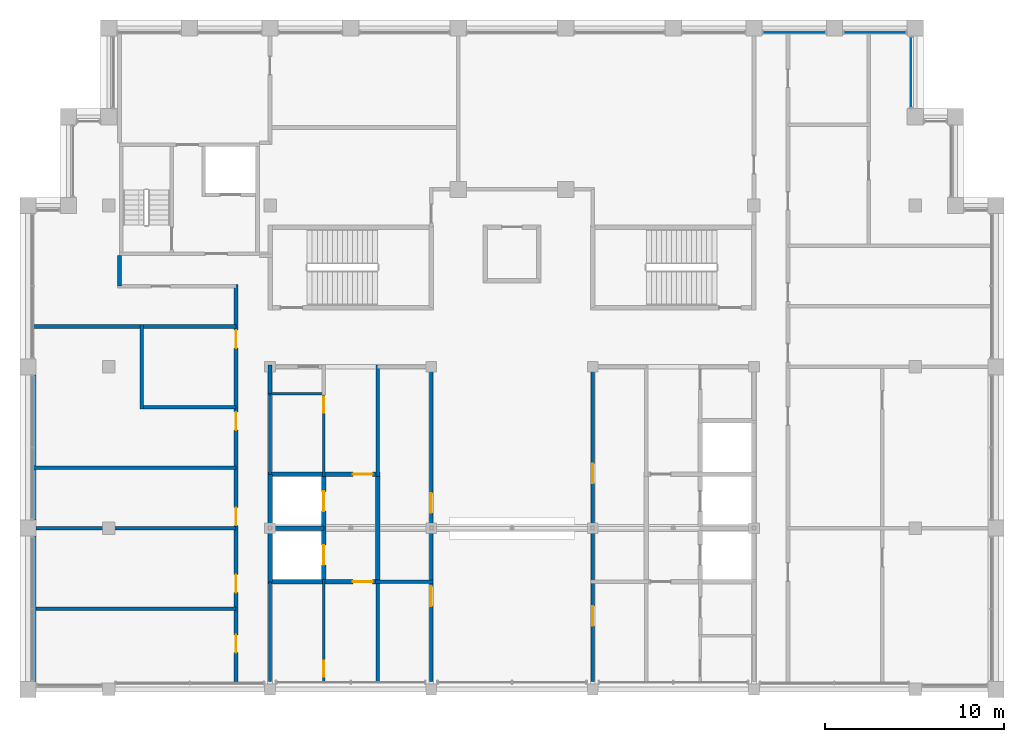
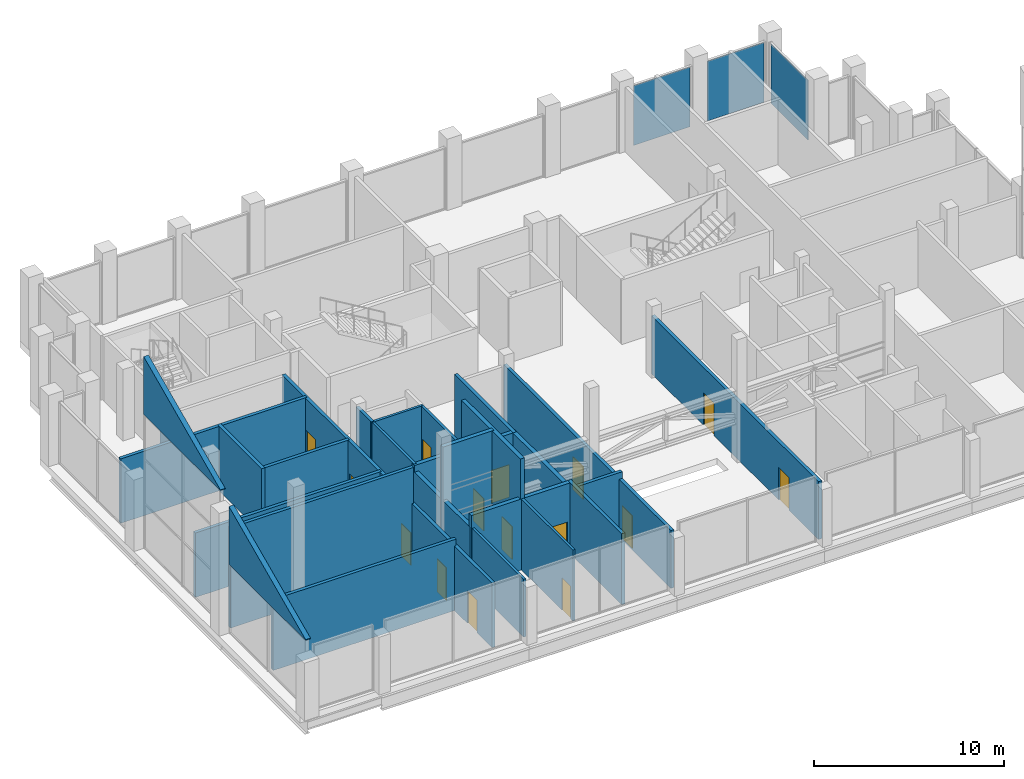
# One storey, part 10 of 14: 27 walls, 15 doors, 3 plates, 15 openings, 3 elements without a shape of their own.
"""IFC4 building model written with IfcOpenShell, lengths in metres."""

import ifcopenshell
import ifcopenshell.guid

model = None  # the IFC model being written
_history = None  # IfcOwnerHistory: only IFC2X3 demands one
_inside = {}  # id of a spatial element -> (the spatial element, [elements in it])
_under = {}  # id of a project, library or spatial element -> (it, [spatial elements below it])
_declared = {}  # id of a project -> (the project, [libraries it declares])
_typed = {}  # id of a type object -> (the type object, [elements of that type])
_made_of = {}  # id of a material, layer set ... -> (it, [elements and type objects made of it])


def new_model(schema):
    """Start an empty IFC model of exactly this schema.

    Asked for "IFC4X3", IfcOpenShell would pick the latest addendum, in which some entities
    have other attributes; the version numbers below select the first issue.
    IFC2X3 requires an IfcOwnerHistory on every rooted entity: one is made here for all.
    """
    global model, _history
    if schema == "IFC4X3":
        model = ifcopenshell.file(schema_version=(4, 3, 0, 0))
    else:
        model = ifcopenshell.file(schema=schema)
    _inside.clear()
    _under.clear()
    _declared.clear()
    _typed.clear()
    _made_of.clear()
    _history = None
    if model.schema == "IFC2X3":
        org = make("IfcOrganization", Name="unknown")
        user = make(
            "IfcPersonAndOrganization",
            ThePerson=make("IfcPerson", FamilyName="unknown"),
            TheOrganization=org,
        )
        app = make(
            "IfcApplication",
            ApplicationDeveloper=org,
            Version="unknown",
            ApplicationFullName="unknown",
            ApplicationIdentifier="unknown",
        )
        _history = make(
            "IfcOwnerHistory",
            OwningUser=user,
            OwningApplication=app,
            ChangeAction="ADDED",
            CreationDate=0,
        )
    return model


def make(cls, **values):
    """One entity of the class cls with the attributes given. An attribute that is None is left unset."""
    return model.create_entity(
        cls, **{name: value for name, value in values.items() if value is not None}
    )


def rooted(cls, **values):
    """An entity with a GlobalId (a new one), such as an element, a storey or a relation."""
    return make(cls, GlobalId=ifcopenshell.guid.new(), OwnerHistory=_history, **values)


def si_unit(unit_type, name, prefix=None):
    """IfcSIUnit, for example si_unit("LENGTHUNIT", "METRE", prefix="MILLI")."""
    return make("IfcSIUnit", UnitType=unit_type, Prefix=prefix, Name=name)


def assignment(units):
    """IfcUnitAssignment: the units of a project."""
    return None if units is None else make("IfcUnitAssignment", Units=units)


def point(xyz):
    """IfcCartesianPoint."""
    return None if xyz is None else make("IfcCartesianPoint", Coordinates=xyz)


def direction(xyz):
    """IfcDirection."""
    return None if xyz is None else make("IfcDirection", DirectionRatios=xyz)


def frame(location, z_axis=None, x_axis=None):
    """IfcAxis2Placement3D, a coordinate frame: its origin and axes. An axis left out is left unset."""
    return make(
        "IfcAxis2Placement3D",
        Location=point(location),
        Axis=direction(z_axis),
        RefDirection=direction(x_axis),
    )


def frame_2d(location, x_axis=None):
    """IfcAxis2Placement2D, a coordinate frame in the plane: its origin and x axis."""
    return make(
        "IfcAxis2Placement2D", Location=point(location), RefDirection=direction(x_axis)
    )


def origin():
    """The frame at (0, 0, 0) with its axes left unset."""
    return frame((0.0, 0.0, 0.0))


def origin_2d():
    """The frame at (0, 0) in the plane with its x axis left unset."""
    return frame_2d((0.0, 0.0))


def place(relative_to, where):
    """IfcLocalPlacement: puts the frame where relative to a parent placement (None: the world)."""
    return make(
        "IfcLocalPlacement", PlacementRelTo=relative_to, RelativePlacement=where
    )


def context(
    kind, dimensions, precision=None, world=None, true_north=None, identifier=None
):
    """IfcGeometricRepresentationContext, for example the 3D "Model" context."""
    return make(
        "IfcGeometricRepresentationContext",
        ContextIdentifier=identifier,
        ContextType=kind,
        CoordinateSpaceDimension=dimensions,
        Precision=precision,
        WorldCoordinateSystem=world,
        TrueNorth=true_north,
    )


def subcontext(parent, identifier, kind, view, scale=None):
    """IfcGeometricRepresentationSubContext, for example "Body" below "Model"."""
    return make(
        "IfcGeometricRepresentationSubContext",
        ContextIdentifier=identifier,
        ContextType=kind,
        ParentContext=parent,
        TargetScale=scale,
        TargetView=view,
    )


def project(units=None, contexts=None):
    """IfcProject with its units and contexts."""
    return rooted(
        "IfcProject",
        Name="project",
        RepresentationContexts=contexts,
        UnitsInContext=assignment(units),
    )


def spatial(cls, under=None, at=None, **own):
    """A site, building, storey or space (cls), placed at a placement, below another one or the project."""
    s = rooted(cls, ObjectPlacement=at, **own)
    if under is not None:
        _under.setdefault(under.id(), (under, []))[1].append(s)
    return s


def polyline(points):
    """IfcPolyline through the points."""
    return make("IfcPolyline", Points=[point(p) for p in points])


def profile(cls, at=None, kind="AREA", **sizes):
    """A parametric profile (cls). Its sizes go by their IFC names, for example OverallWidth=200.0."""
    return make(cls, ProfileType=kind, Position=at, **sizes)


def rectangle(**sizes):
    """IfcRectangleProfileDef."""
    return profile("IfcRectangleProfileDef", **sizes)


def outline(outer, holes=None, kind="AREA"):
    """IfcArbitraryClosedProfileDef: a profile drawn as a closed curve; with holes, ...WithVoids."""
    if holes is None:
        return make("IfcArbitraryClosedProfileDef", ProfileType=kind, OuterCurve=outer)
    return make(
        "IfcArbitraryProfileDefWithVoids",
        ProfileType=kind,
        OuterCurve=outer,
        InnerCurves=holes,
    )


def extrude(swept, where, along, depth):
    """IfcExtrudedAreaSolid: the profile swept, set in the frame where, extruded along a direction by depth."""
    return make(
        "IfcExtrudedAreaSolid",
        SweptArea=swept,
        Position=where,
        ExtrudedDirection=direction(along),
        Depth=depth,
    )


def shape(context_of_items, identifier, shape_type, items):
    """IfcShapeRepresentation: the items that make up one representation, for example the "Body"."""
    return make(
        "IfcShapeRepresentation",
        ContextOfItems=context_of_items,
        RepresentationIdentifier=identifier,
        RepresentationType=shape_type,
        Items=items,
    )


def material(Name=None, Category=None):
    """IfcMaterial."""
    return make("IfcMaterial", Name=Name, Category=Category)


def layer(
    of_material, thickness, ventilated=None, Name=None, Category=None, Priority=None
):
    """IfcMaterialLayer: one layer of a wall or slab, of a material (None: an air gap)."""
    return make(
        "IfcMaterialLayer",
        Material=of_material,
        LayerThickness=thickness,
        IsVentilated=ventilated,
        Name=Name,
        Category=Category,
        Priority=Priority,
    )


def layer_set(layers, Name=None):
    """IfcMaterialLayerSet."""
    return make("IfcMaterialLayerSet", MaterialLayers=layers, LayerSetName=Name)


def made_of(thing, what):
    """Note that an element or type object is made of a material, layer set ...; save() writes the relation."""
    if what is not None:
        _made_of.setdefault(what.id(), (what, []))[1].append(thing)
    return thing


def type_object(cls, material=None, **own):
    """A type object (cls), such as IfcWallType, which elements share."""
    return made_of(rooted(cls, **own), material)


def element(
    cls,
    number,
    at=None,
    inside=None,
    cuts=None,
    type_object=None,
    material=None,
    context=None,
    identifier="Body",
    shape_type=None,
    held_by="IfcProductDefinitionShape",
    body=None,
    shapes=None,
    **own,
):
    """One element of the class cls, such as IfcWall. Its Tag is "e" and its number.

    at: its placement. inside: the storey or other place that contains it. cuts: it is an
    opening in that element (IfcRelVoidsElement). A single representation is given by context,
    identifier, shape_type and body (its items); several are given by shapes. held_by: the class
    of the entity that holds the representations. save() writes the other relations.
    """
    e = rooted(cls, Tag="e%d" % number, ObjectPlacement=at, **own)
    if body is not None:
        shapes = [shape(context, identifier, shape_type, body)]
    if shapes is not None:
        e.Representation = make(held_by, Representations=shapes)
    if inside is not None:
        _inside.setdefault(inside.id(), (inside, []))[1].append(e)
    if cuts is not None:
        rooted(
            "IfcRelVoidsElement", RelatingBuildingElement=cuts, RelatedOpeningElement=e
        )
    if type_object is not None:
        _typed.setdefault(type_object.id(), (type_object, []))[1].append(e)
    return made_of(e, material)


def fill(opening, filler):
    """IfcRelFillsElement: the door or window that sits in an opening."""
    return rooted(
        "IfcRelFillsElement",
        RelatingOpeningElement=opening,
        RelatedBuildingElement=filler,
    )


def aggregate(whole, parts):
    """IfcRelAggregates: a whole, such as a stair, and the parts it consists of."""
    return rooted("IfcRelAggregates", RelatingObject=whole, RelatedObjects=parts)


def save(model, path):
    """Write the relations noted so far, then the file.

    IfcRelAggregates (storeys below a building ...), IfcRelContainedInSpatialStructure (elements
    in a storey), IfcRelDefinesByType, IfcRelAssociatesMaterial and IfcRelDeclares: one each for
    every whole, place, type object, material and project.
    """
    for whole, parts in _under.values():
        aggregate(whole, parts)
    for where, things in _inside.values():
        rooted(
            "IfcRelContainedInSpatialStructure",
            RelatedElements=things,
            RelatingStructure=where,
        )
    for kind, things in _typed.values():
        rooted("IfcRelDefinesByType", RelatedObjects=things, RelatingType=kind)
    for what, things in _made_of.values():
        rooted("IfcRelAssociatesMaterial", RelatedObjects=things, RelatingMaterial=what)
    for by, libraries in _declared.values():
        rooted("IfcRelDeclares", RelatingContext=by, RelatedDefinitions=libraries)
    model.write(path)


model = new_model("IFC4")

# Units and contexts
model_context = context("Model", 3, precision=1e-05, world=origin(), true_north=direction((0.0, 1.0)))
body_context = subcontext(model_context, "Body", "Model", "MODEL_VIEW")
ifc_project = project(units=[si_unit("LENGTHUNIT", "METRE"), si_unit("AREAUNIT", "SQUARE_METRE"), si_unit("VOLUMEUNIT", "CUBIC_METRE"), si_unit("PLANEANGLEUNIT", "RADIAN"), si_unit("MASSUNIT", "GRAM", prefix="KILO")], contexts=[model_context])

# Site, building, storey
site_placement = place(None, origin())
site = spatial("IfcSite", under=ifc_project, at=site_placement, CompositionType="ELEMENT")
building_placement = place(site_placement, origin())
building = spatial("IfcBuilding", under=site, at=building_placement, Name="Corbelhall Arena Tower", CompositionType="ELEMENT")
storey_placement = place(building_placement, frame((0.0, 0.0, 376.0)))
storey = spatial("IfcBuildingStorey", under=building, at=storey_placement, Name="L81", CompositionType="ELEMENT", Elevation=376.0)

# Curtain wall, plate
ifc_material_1 = material(Name="Aluminium black anodised", Category="aluminium")
ifc_layer_1 = layer(ifc_material_1, 0.179931640625)
ifc_layer_set_1 = layer_set([ifc_layer_1], Name="EV-CW3 Crown glazing")
curtain_wall_type = type_object("IfcCurtainWallType", Name="EV-CW3 Crown glazing", PredefinedType="NOTDEFINED", material=ifc_layer_set_1)
curtain_wall_1_placement = place(storey_placement, origin())
curtain_wall_1 = element("IfcCurtainWall", 1, at=curtain_wall_1_placement, inside=storey, type_object=curtain_wall_type, Name="Curtain wall CW3", PredefinedType="NOTDEFINED")
ifc_material_2 = material(Name="Glass dark tinted laminated", Category="glass")
ifc_layer_2 = layer(ifc_material_2, 0.028076171875)
ifc_layer_set_2 = layer_set([ifc_layer_2], Name="EV-CW3-PANEL")
plate_type = type_object("IfcPlateType", Name="EV-CW3-PANEL", PredefinedType="CURTAIN_PANEL", material=ifc_layer_set_2)
plate_1_placement = place(storey_placement, frame((22.25, 25.425048828125, 0.074951171875), z_axis=(0.0, 0.0, 1.0), x_axis=(0.0, 1.0, 0.0)))
plate_1 = element("IfcPlate", 2, at=plate_1_placement, type_object=plate_type, Name="CW3 panel 1.1", PredefinedType="CURTAIN_PANEL", context=body_context, shape_type="SweptSolid", body=[
    extrude(rectangle(XDim=3.89990234375, YDim=0.028076171875, at=origin_2d()), origin(), (0.0, 0.0, 1.0), 3.849609375),
])
aggregate(curtain_wall_1, [plate_1])

curtain_wall_2_placement = place(storey_placement, origin())
curtain_wall_2 = element("IfcCurtainWall", 3, at=curtain_wall_2_placement, inside=storey, type_object=curtain_wall_type, Name="Curtain wall CW3A", PredefinedType="NOTDEFINED")
plate_2_placement = place(storey_placement, frame((20.25, 27.64990234375, 0.074951171875), z_axis=(0.0, 0.0, 1.0), x_axis=(-1.0, 0.0, 0.0)))
plate_2 = element("IfcPlate", 4, at=plate_2_placement, type_object=plate_type, Name="CW3A panel 1.1", PredefinedType="CURTAIN_PANEL", context=body_context, shape_type="SweptSolid", body=[
    extrude(rectangle(XDim=3.449951171875, YDim=0.028076171875, at=origin_2d()), origin(), (0.0, 0.0, 1.0), 3.849609375),
])
aggregate(curtain_wall_2, [plate_2])

curtain_wall_3_placement = place(storey_placement, origin())
curtain_wall_3 = element("IfcCurtainWall", 5, at=curtain_wall_3_placement, inside=storey, type_object=curtain_wall_type, Name="Curtain wall CW3A", PredefinedType="NOTDEFINED")
plate_3_placement = place(storey_placement, frame((15.75, 27.64990234375, 0.074951171875), z_axis=(0.0, 0.0, 1.0), x_axis=(-1.0, 0.0, 0.0)))
plate_3 = element("IfcPlate", 6, at=plate_3_placement, type_object=plate_type, Name="CW3A panel 1.1", PredefinedType="CURTAIN_PANEL", context=body_context, shape_type="SweptSolid", body=[
    extrude(rectangle(XDim=3.449951171875, YDim=0.028076171875, at=origin_2d()), origin(), (0.0, 0.0, 1.0), 3.849609375),
])
aggregate(curtain_wall_3, [plate_3])

# Walls
ifc_material_3 = material(Name="Precast concrete C40/50 with granite facing", Category="masonry")
ifc_layer_3 = layer(ifc_material_3, 0.300048828125)
ifc_layer_set_3 = layer_set([ifc_layer_3], Name="EV-IW3 Parapet 300")
wall_type_1 = type_object("IfcWallType", Name="EV-IW3 Parapet 300", PredefinedType="SOLIDWALL", material=ifc_layer_set_3)
wall_1_placement = place(storey_placement, frame((-26.699951171875, 8.550048828125, 8.633056640625), z_axis=(0.0, 0.0, 1.0), x_axis=(0.0, -1.0, 0.0)))
element("IfcWall", 7, at=wall_1_placement, inside=storey, type_object=wall_type_1, Name="Infill panel IW3A", PredefinedType="SOLIDWALL", context=body_context, shape_type="SweptSolid", body=[
    extrude(outline(polyline([(0.0, 0.0), (8.10009765625, 0.0), (8.10009765625, 0.0498046875), (0.0, 3.7275390625), (0.0, 0.0)])), frame((0.0, 0.14990234375, 0.0), z_axis=(0.0, -1.0, 0.0), x_axis=(1.0, 0.0, 0.0)), (0.0, 0.0, 1.0), 0.300048828125),
])
wall_2_placement = place(storey_placement, frame((-26.699951171875, -0.449951171875, 4.439453125), z_axis=(0.0, 0.0, 1.0), x_axis=(0.0, -1.0, 0.0)))
element("IfcWall", 8, at=wall_2_placement, inside=storey, type_object=wall_type_1, Name="Infill panel IW3", PredefinedType="SOLIDWALL", context=body_context, shape_type="SweptSolid", body=[
    extrude(outline(polyline([(0.0, 0.0), (8.10009765625, 0.0), (8.10009765625, 0.050048828125), (0.0, 3.7275390625), (0.0, 0.0)])), frame((0.0, 0.14990234375, 0.0), z_axis=(0.0, -1.0, 0.0), x_axis=(1.0, 0.0, 0.0)), (0.0, 0.0, 1.0), 0.300048828125),
])
ifc_material_4 = material(Name="Gypsum board on steel stud, acoustic", Category="steel")
ifc_layer_4 = layer(ifc_material_4, 0.199951171875)
ifc_layer_set_4 = layer_set([ifc_layer_4], Name="IN-W-DM200")
wall_type_2 = type_object("IfcWallType", Name="IN-W-DM200", PredefinedType="PARTITIONING", material=ifc_layer_set_4)
for number, where, z_axis, x_axis, name in (
    (9, (-26.736083984375, 3.375, 0.0), (0.0, 0.0, 1.0), (1.0, 0.0, 0.0), "Partition 001"),
    (10, (-26.736083984375, 11.25, 0.0), (0.0, 0.0, 1.0), (1.0, 0.0, 0.0), "Partition 002"),
):
    element("IfcWall", number, at=place(storey_placement, frame(where, z_axis=z_axis, x_axis=x_axis)), inside=storey, type_object=wall_type_2, Name=name, PredefinedType="PARTITIONING", context=body_context, shape_type="SweptSolid", body=[
        extrude(rectangle(XDim=11.336181640625, YDim=0.199951171875, at=frame_2d((5.66796875, 0.0))), origin(), (0.0, 0.0, 1.0), 4.149658203125),
    ])
wall_3_placement = place(storey_placement, frame((-26.550048828125, -4.5, 0.0), z_axis=(0.0, 0.0, 1.0), x_axis=(1.0, 0.0, 0.0)))
element("IfcWall", 11, at=wall_3_placement, inside=storey, type_object=wall_type_2, Name="Partition 003", PredefinedType="PARTITIONING", context=body_context, shape_type="SweptSolid", body=[
    extrude(rectangle(XDim=11.150146484375, YDim=0.199951171875, at=frame_2d((5.5751953125, 0.0))), origin(), (0.0, 0.0, 1.0), 4.566162109375),
])
wall_4_placement = place(storey_placement, frame((-21.89990234375, 13.5, 0.0), z_axis=(0.0, 0.0, 1.0), x_axis=(0.0, 1.0, 0.0)))
element("IfcWall", 12, at=wall_4_placement, inside=storey, type_object=wall_type_2, Name="Partition 004", PredefinedType="PARTITIONING", context=body_context, shape_type="SweptSolid", body=[
    extrude(rectangle(XDim=1.699951171875, YDim=0.199951171875, at=frame_2d((0.85009765625, 0.0))), origin(), (0.0, 0.0, 1.0), 4.149658203125),
])
wall_5_placement = place(storey_placement, frame((-20.64990234375, 6.75, 0.0), z_axis=(0.0, 0.0, 1.0), x_axis=(1.0, 0.0, 0.0)))
element("IfcWall", 13, at=wall_5_placement, inside=storey, type_object=wall_type_2, Name="Partition 006", PredefinedType="PARTITIONING", context=body_context, shape_type="SweptSolid", body=[
    extrude(rectangle(XDim=5.25, YDim=0.199951171875, at=frame_2d((2.625, 0.0))), origin(), (0.0, 0.0, 1.0), 4.149658203125),
])
wall_6_placement = place(storey_placement, frame((-20.64990234375, 11.35009765625, 0.0), z_axis=(0.0, 0.0, 1.0), x_axis=(0.0, -1.0, 0.0)))
element("IfcWall", 14, at=wall_6_placement, inside=storey, type_object=wall_type_2, Name="Partition 007", PredefinedType="PARTITIONING", context=body_context, shape_type="SweptSolid", body=[
    extrude(rectangle(XDim=4.7001953125, YDim=0.199951171875, at=frame_2d((2.35009765625, 0.0))), origin(), (0.0, 0.0, 1.0), 4.149658203125),
])

# Wall, openings, doors
wall_7_placement = place(storey_placement, frame((-15.39990234375, -8.550048828125, 0.0), z_axis=(0.0, 0.0, 1.0), x_axis=(0.0, 1.0, 0.0)))
wall_7 = element("IfcWall", 15, at=wall_7_placement, inside=storey, type_object=wall_type_2, Name="Partition 008", PredefinedType="PARTITIONING", context=body_context, shape_type="SweptSolid", body=[
    extrude(rectangle(XDim=22.150146484375, YDim=0.199951171875, at=frame_2d((11.0751953125, 0.0))), origin(), (0.0, 0.0, 1.0), 4.149658203125),
])
opening_1_placement = place(wall_7_placement, frame((8.699951171875, 0.0, 0.0)))
opening_1 = element("IfcOpeningElement", 16, at=opening_1_placement, cuts=wall_7, Name="Opening 35020", PredefinedType="OPENING", context=body_context, shape_type="SweptSolid", body=[
    extrude(rectangle(XDim=1.0, YDim=2.10009765625, at=frame_2d((0.5, 1.050048828125))), frame((0.0, 0.10009765625, 0.0), z_axis=(0.0, -1.0, 0.0), x_axis=(1.0, 0.0, 0.0)), (0.0, 0.0, 1.0), 0.199951171875),
])
opening_2_placement = place(wall_7_placement, frame((14.02490234375, 0.0, 0.0)))
opening_2 = element("IfcOpeningElement", 17, at=opening_2_placement, cuts=wall_7, Name="Opening 35021", PredefinedType="OPENING", context=body_context, shape_type="SweptSolid", body=[
    extrude(rectangle(XDim=1.0, YDim=2.10009765625, at=frame_2d((0.5, 1.050048828125))), frame((0.0, 0.10009765625, 0.0), z_axis=(0.0, -1.0, 0.0), x_axis=(1.0, 0.0, 0.0)), (0.0, 0.0, 1.0), 0.199951171875),
])
opening_3_placement = place(wall_7_placement, frame((18.60009765625, 0.0, 0.0)))
opening_3 = element("IfcOpeningElement", 18, at=opening_3_placement, cuts=wall_7, Name="Opening 35022", PredefinedType="OPENING", context=body_context, shape_type="SweptSolid", body=[
    extrude(rectangle(XDim=1.0, YDim=2.10009765625, at=frame_2d((0.5, 1.050048828125))), frame((0.0, 0.10009765625, 0.0), z_axis=(0.0, -1.0, 0.0), x_axis=(1.0, 0.0, 0.0)), (0.0, 0.0, 1.0), 0.199951171875),
])
opening_4_placement = place(wall_7_placement, frame((1.60009765625, 0.0, 0.0)))
opening_4 = element("IfcOpeningElement", 19, at=opening_4_placement, cuts=wall_7, Name="Opening 35024", PredefinedType="OPENING", context=body_context, shape_type="SweptSolid", body=[
    extrude(rectangle(XDim=1.0, YDim=2.10009765625, at=frame_2d((0.5, 1.050048828125))), frame((0.0, 0.10009765625, 0.0), z_axis=(0.0, -1.0, 0.0), x_axis=(1.0, 0.0, 0.0)), (0.0, 0.0, 1.0), 0.199951171875),
])
opening_5_placement = place(wall_7_placement, frame((4.949951171875, 0.0, 0.0)))
opening_5 = element("IfcOpeningElement", 20, at=opening_5_placement, cuts=wall_7, Name="Opening 35025", PredefinedType="OPENING", context=body_context, shape_type="SweptSolid", body=[
    extrude(rectangle(XDim=1.0, YDim=2.10009765625, at=frame_2d((0.5, 1.050048828125))), frame((0.0, 0.10009765625, 0.0), z_axis=(0.0, -1.0, 0.0), x_axis=(1.0, 0.0, 0.0)), (0.0, 0.0, 1.0), 0.199951171875),
])
ifc_material_5 = material(Name="Steel door set", Category="steel")
door_type_1 = type_object("IfcDoorType", Name="IN-D-SW100", OperationType="NOTDEFINED", PredefinedType="DOOR", material=ifc_material_5)
door_1_placement = place(opening_1_placement, origin())
door_1 = element("IfcDoor", 21, at=door_1_placement, inside=storey, type_object=door_type_1, Name="Door 020", OperationType="SINGLE_SWING_LEFT", OverallHeight=2.10009765625, OverallWidth=1.0, PredefinedType="DOOR", context=body_context, shape_type="SweptSolid", body=[
    extrude(rectangle(XDim=1.0, YDim=2.10009765625, at=frame_2d((0.5, 1.050048828125))), frame((0.0, 0.02490234375, 0.0), z_axis=(0.0, -1.0, 0.0), x_axis=(1.0, 0.0, 0.0)), (0.0, 0.0, 1.0), 0.050048828125),
])
fill(opening_1, door_1)
door_2_placement = place(opening_2_placement, origin())
door_2 = element("IfcDoor", 22, at=door_2_placement, inside=storey, type_object=door_type_1, Name="Door 021", OperationType="SINGLE_SWING_RIGHT", OverallHeight=2.10009765625, OverallWidth=1.0, PredefinedType="DOOR", context=body_context, shape_type="SweptSolid", body=[
    extrude(rectangle(XDim=1.0, YDim=2.10009765625, at=frame_2d((0.5, 1.050048828125))), frame((0.0, 0.02490234375, 0.0), z_axis=(0.0, -1.0, 0.0), x_axis=(1.0, 0.0, 0.0)), (0.0, 0.0, 1.0), 0.050048828125),
])
fill(opening_2, door_2)
door_3_placement = place(opening_3_placement, origin())
door_3 = element("IfcDoor", 23, at=door_3_placement, inside=storey, type_object=door_type_1, Name="Door 022", OperationType="SINGLE_SWING_LEFT", OverallHeight=2.10009765625, OverallWidth=1.0, PredefinedType="DOOR", context=body_context, shape_type="SweptSolid", body=[
    extrude(rectangle(XDim=1.0, YDim=2.10009765625, at=frame_2d((0.5, 1.050048828125))), frame((0.0, 0.02490234375, 0.0), z_axis=(0.0, -1.0, 0.0), x_axis=(1.0, 0.0, 0.0)), (0.0, 0.0, 1.0), 0.050048828125),
])
fill(opening_3, door_3)
door_4_placement = place(opening_4_placement, origin())
door_4 = element("IfcDoor", 24, at=door_4_placement, inside=storey, type_object=door_type_1, Name="Door 024", OperationType="SINGLE_SWING_LEFT", OverallHeight=2.10009765625, OverallWidth=1.0, PredefinedType="DOOR", context=body_context, shape_type="SweptSolid", body=[
    extrude(rectangle(XDim=1.0, YDim=2.10009765625, at=frame_2d((0.5, 1.050048828125))), frame((0.0, 0.02490234375, 0.0), z_axis=(0.0, -1.0, 0.0), x_axis=(1.0, 0.0, 0.0)), (0.0, 0.0, 1.0), 0.050048828125),
])
fill(opening_4, door_4)
door_5_placement = place(opening_5_placement, origin())
door_5 = element("IfcDoor", 25, at=door_5_placement, inside=storey, type_object=door_type_1, Name="Door 025", OperationType="SINGLE_SWING_RIGHT", OverallHeight=2.10009765625, OverallWidth=1.0, PredefinedType="DOOR", context=body_context, shape_type="SweptSolid", body=[
    extrude(rectangle(XDim=1.0, YDim=2.10009765625, at=frame_2d((0.5, 1.050048828125))), frame((0.0, 0.02490234375, 0.0), z_axis=(0.0, -1.0, 0.0), x_axis=(1.0, 0.0, 0.0)), (0.0, 0.0, 1.0), 0.050048828125),
])
fill(opening_5, door_5)

# Walls
wall_8_placement = place(storey_placement, frame((-15.39990234375, 0.0, 0.0), z_axis=(0.0, 0.0, 1.0), x_axis=(-1.0, 0.0, 0.0)))
element("IfcWall", 26, at=wall_8_placement, inside=storey, type_object=wall_type_2, Name="Partition 009", PredefinedType="PARTITIONING", context=body_context, shape_type="SweptSolid", body=[
    extrude(rectangle(XDim=11.150146484375, YDim=0.199951171875, at=frame_2d((5.5751953125, 0.0))), origin(), (0.0, 0.0, 1.0), 6.453125),
])
ifc_material_6 = material(Name="Concrete block wall", Category="concrete")
ifc_layer_5 = layer(ifc_material_6, 0.199951171875)
ifc_layer_set_5 = layer_set([ifc_layer_5], Name="IN-W-RS200")
wall_type_3 = type_object("IfcWallType", Name="IN-W-RS200", PredefinedType="SOLIDWALL", material=ifc_layer_set_5)
wall_9_placement = place(storey_placement, frame((-13.5, 7.5, 0.0), z_axis=(0.0, 0.0, 1.0), x_axis=(0.0, 1.0, 0.0)))
element("IfcWall", 27, at=wall_9_placement, inside=storey, type_object=wall_type_3, Name="Partition 028", PredefinedType="SOLIDWALL", context=body_context, shape_type="SweptSolid", body=[
    extrude(rectangle(XDim=1.60009765625, YDim=0.199951171875, at=frame_2d((0.800048828125, 0.0))), origin(), (0.0, 0.0, 1.0), 4.149658203125),
])
wall_10_placement = place(storey_placement, frame((-7.625, -3.0, 0.0), z_axis=(0.0, 0.0, 1.0), x_axis=(1.0, 0.0, 0.0)))
element("IfcWall", 28, at=wall_10_placement, inside=storey, type_object=wall_type_3, Name="Partition 031", PredefinedType="SOLIDWALL", context=body_context, shape_type="SweptSolid", body=[
    extrude(rectangle(XDim=3.22509765625, YDim=0.199951171875, at=frame_2d((1.612548828125, 0.0))), origin(), (0.0, 0.0, 1.0), 4.149658203125),
])
wall_11_placement = place(storey_placement, frame((-7.5, -8.550048828125, 0.0), z_axis=(0.0, 0.0, 1.0), x_axis=(0.0, 1.0, 0.0)))
element("IfcWall", 29, at=wall_11_placement, inside=storey, type_object=wall_type_3, Name="Partition 032", PredefinedType="SOLIDWALL", context=body_context, shape_type="SweptSolid", body=[
    extrude(rectangle(XDim=5.675048828125, YDim=0.199951171875, at=frame_2d((2.83740234375, 0.0))), origin(), (0.0, 0.0, 1.0), 4.566162109375),
])
wall_12_placement = place(storey_placement, frame((-7.5, 2.875, 0.0), z_axis=(0.0, 0.0, 1.0), x_axis=(0.0, 1.0, 0.0)))
element("IfcWall", 30, at=wall_12_placement, inside=storey, type_object=wall_type_3, Name="Partition 033", PredefinedType="SOLIDWALL", context=body_context, shape_type="SweptSolid", body=[
    extrude(rectangle(XDim=6.22509765625, YDim=0.199951171875, at=frame_2d((3.112548828125, 0.0))), origin(), (0.0, 0.0, 1.0), 4.149658203125),
])

# Wall, openings, doors
ifc_layer_6 = layer(ifc_material_6, 0.199951171875)
ifc_layer_set_6 = layer_set([ifc_layer_6], Name="IN-W-RS200 under beam 427 mm")
wall_type_4 = type_object("IfcWallType", Name="IN-W-RS200 under beam 427 mm", PredefinedType="SOLIDWALL", material=ifc_layer_set_6)
wall_13_placement = place(storey_placement, frame((-4.5, 9.10009765625, 0.0), z_axis=(0.0, 0.0, 1.0), x_axis=(0.0, -1.0, 0.0)))
wall_13 = element("IfcWall", 31, at=wall_13_placement, inside=storey, type_object=wall_type_4, Name="Partition 035", PredefinedType="SOLIDWALL", context=body_context, shape_type="SweptSolid", body=[
    extrude(rectangle(XDim=17.650146484375, YDim=0.199951171875, at=frame_2d((8.8251953125, 0.0))), origin(), (0.0, 0.0, 1.0), 3.722412109375),
])
opening_6_placement = place(wall_13_placement, frame((12.35009765625, 0.0, 0.0)))
opening_6 = element("IfcOpeningElement", 32, at=opening_6_placement, cuts=wall_13, Name="Opening 35001", PredefinedType="OPENING", context=body_context, shape_type="SweptSolid", body=[
    extrude(rectangle(XDim=1.10009765625, YDim=2.10009765625, at=frame_2d((0.550048828125, 1.050048828125))), frame((0.0, 0.10009765625, 0.0), z_axis=(0.0, -1.0, 0.0), x_axis=(1.0, 0.0, 0.0)), (0.0, 0.0, 1.0), 0.199951171875),
])
opening_7_placement = place(wall_13_placement, frame((7.14990234375, 0.0, 0.0)))
opening_7 = element("IfcOpeningElement", 33, at=opening_7_placement, cuts=wall_13, Name="Opening 35002", PredefinedType="OPENING", context=body_context, shape_type="SweptSolid", body=[
    extrude(rectangle(XDim=1.10009765625, YDim=2.10009765625, at=frame_2d((0.550048828125, 1.050048828125))), frame((0.0, 0.10009765625, 0.0), z_axis=(0.0, -1.0, 0.0), x_axis=(1.0, 0.0, 0.0)), (0.0, 0.0, 1.0), 0.199951171875),
])
door_type_2 = type_object("IfcDoorType", Name="IN-D-FD110", OperationType="NOTDEFINED", PredefinedType="DOOR", material=ifc_material_5)
door_6_placement = place(opening_6_placement, origin())
door_6 = element("IfcDoor", 34, at=door_6_placement, inside=storey, type_object=door_type_2, Name="Door 001", OperationType="SINGLE_SWING_RIGHT", OverallHeight=2.10009765625, OverallWidth=1.10009765625, PredefinedType="DOOR", context=body_context, shape_type="SweptSolid", body=[
    extrude(rectangle(XDim=1.10009765625, YDim=2.10009765625, at=frame_2d((0.550048828125, 1.050048828125))), frame((0.0, 0.02490234375, 0.0), z_axis=(0.0, -1.0, 0.0), x_axis=(1.0, 0.0, 0.0)), (0.0, 0.0, 1.0), 0.050048828125),
])
fill(opening_6, door_6)
door_7_placement = place(opening_7_placement, origin())
door_7 = element("IfcDoor", 35, at=door_7_placement, inside=storey, type_object=door_type_2, Name="Door 002", OperationType="SINGLE_SWING_LEFT", OverallHeight=2.10009765625, OverallWidth=1.10009765625, PredefinedType="DOOR", context=body_context, shape_type="SweptSolid", body=[
    extrude(rectangle(XDim=1.10009765625, YDim=2.10009765625, at=frame_2d((0.550048828125, 1.050048828125))), frame((0.0, 0.02490234375, 0.0), z_axis=(0.0, -1.0, 0.0), x_axis=(1.0, 0.0, 0.0)), (0.0, 0.0, 1.0), 0.050048828125),
])
fill(opening_7, door_7)

wall_14_placement = place(storey_placement, frame((4.5, -8.550048828125, 0.0), z_axis=(0.0, 0.0, 1.0), x_axis=(0.0, 1.0, 0.0)))
wall_14 = element("IfcWall", 36, at=wall_14_placement, inside=storey, type_object=wall_type_4, Name="Partition 037", PredefinedType="SOLIDWALL", context=body_context, shape_type="SweptSolid", body=[
    extrude(rectangle(XDim=17.650146484375, YDim=0.199951171875, at=frame_2d((8.8251953125, 0.0))), origin(), (0.0, 0.0, 1.0), 3.722412109375),
])
opening_8_placement = place(wall_14_placement, frame((3.10009765625, 0.0, 0.0)))
opening_8 = element("IfcOpeningElement", 37, at=opening_8_placement, cuts=wall_14, Name="Opening 35008", PredefinedType="OPENING", context=body_context, shape_type="SweptSolid", body=[
    extrude(rectangle(XDim=1.10009765625, YDim=2.10009765625, at=frame_2d((0.550048828125, 1.050048828125))), frame((0.0, 0.10009765625, 0.0), z_axis=(0.0, -1.0, 0.0), x_axis=(1.0, 0.0, 0.0)), (0.0, 0.0, 1.0), 0.199951171875),
])
opening_9_placement = place(wall_14_placement, frame((11.050048828125, 0.0, 0.0)))
opening_9 = element("IfcOpeningElement", 38, at=opening_9_placement, cuts=wall_14, Name="Opening 35009", PredefinedType="OPENING", context=body_context, shape_type="SweptSolid", body=[
    extrude(rectangle(XDim=1.10009765625, YDim=2.10009765625, at=frame_2d((0.550048828125, 1.050048828125))), frame((0.0, 0.10009765625, 0.0), z_axis=(0.0, -1.0, 0.0), x_axis=(1.0, 0.0, 0.0)), (0.0, 0.0, 1.0), 0.199951171875),
])
door_8_placement = place(opening_8_placement, origin())
door_8 = element("IfcDoor", 39, at=door_8_placement, inside=storey, type_object=door_type_2, Name="Door 008", OperationType="SINGLE_SWING_LEFT", OverallHeight=2.10009765625, OverallWidth=1.10009765625, PredefinedType="DOOR", context=body_context, shape_type="SweptSolid", body=[
    extrude(rectangle(XDim=1.10009765625, YDim=2.10009765625, at=frame_2d((0.550048828125, 1.050048828125))), frame((0.0, 0.02490234375, 0.0), z_axis=(0.0, -1.0, 0.0), x_axis=(1.0, 0.0, 0.0)), (0.0, 0.0, 1.0), 0.050048828125),
])
fill(opening_8, door_8)
door_9_placement = place(opening_9_placement, origin())
door_9 = element("IfcDoor", 40, at=door_9_placement, inside=storey, type_object=door_type_2, Name="Door 009", OperationType="SINGLE_SWING_RIGHT", OverallHeight=2.10009765625, OverallWidth=1.10009765625, PredefinedType="DOOR", context=body_context, shape_type="SweptSolid", body=[
    extrude(rectangle(XDim=1.10009765625, YDim=2.10009765625, at=frame_2d((0.550048828125, 1.050048828125))), frame((0.0, 0.02490234375, 0.0), z_axis=(0.0, -1.0, 0.0), x_axis=(1.0, 0.0, 0.0)), (0.0, 0.0, 1.0), 0.050048828125),
])
fill(opening_9, door_9)

# Wall
ifc_material_7 = material(Name="Concrete C40/50", Category="concrete")
ifc_layer_7 = layer(ifc_material_7, 0.25)
ifc_layer_set_7 = layer_set([ifc_layer_7], Name="IN-W-SH250")
wall_type_5 = type_object("IfcWallType", Name="IN-W-SH250", PredefinedType="SOLIDWALL", material=ifc_layer_set_7)
wall_15_placement = place(storey_placement, frame((-13.625, 0.0, 0.0), z_axis=(0.0, 0.0, 1.0), x_axis=(1.0, 0.0, 0.0)))
element("IfcWall", 41, at=wall_15_placement, inside=storey, type_object=wall_type_5, Name="Shaft wall 046", PredefinedType="SOLIDWALL", context=body_context, shape_type="SweptSolid", body=[
    extrude(rectangle(XDim=3.125, YDim=0.25, at=frame_2d((1.5625, 0.0))), origin(), (0.0, 0.0, 1.0), 7.152099609375),
])

# Wall, opening, door
wall_16_placement = place(storey_placement, frame((-13.625, 3.0, 0.0), z_axis=(0.0, 0.0, 1.0), x_axis=(1.0, 0.0, 0.0)))
wall_16 = element("IfcWall", 42, at=wall_16_placement, inside=storey, type_object=wall_type_5, Name="Shaft wall 047", PredefinedType="SOLIDWALL", context=body_context, shape_type="SweptSolid", body=[
    extrude(rectangle(XDim=6.125, YDim=0.25, at=frame_2d((3.0625, 0.0))), origin(), (0.0, 0.0, 1.0), 4.149658203125),
])
opening_10_placement = place(wall_16_placement, frame((4.75, 0.0, 0.0)))
opening_10 = element("IfcOpeningElement", 43, at=opening_10_placement, cuts=wall_16, Name="Opening 35004", PredefinedType="OPENING", context=body_context, shape_type="SweptSolid", body=[
    extrude(rectangle(XDim=1.10009765625, YDim=2.10009765625, at=frame_2d((0.550048828125, 1.050048828125))), frame((0.0, 0.125, 0.0), z_axis=(0.0, -1.0, 0.0), x_axis=(1.0, 0.0, 0.0)), (0.0, 0.0, 1.0), 0.25),
])
door_10_placement = place(opening_10_placement, origin())
door_10 = element("IfcDoor", 44, at=door_10_placement, inside=storey, type_object=door_type_2, Name="Door 004", OperationType="SINGLE_SWING_LEFT", OverallHeight=2.10009765625, OverallWidth=1.10009765625, PredefinedType="DOOR", context=body_context, shape_type="SweptSolid", body=[
    extrude(rectangle(XDim=1.10009765625, YDim=2.10009765625, at=frame_2d((0.550048828125, 1.050048828125))), frame((0.0, 0.02490234375, 0.0), z_axis=(0.0, -1.0, 0.0), x_axis=(1.0, 0.0, 0.0)), (0.0, 0.0, 1.0), 0.050048828125),
])
fill(opening_10, door_10)

wall_17_placement = place(storey_placement, frame((-13.625, -3.0, 0.0), z_axis=(0.0, 0.0, 1.0), x_axis=(1.0, 0.0, 0.0)))
wall_17 = element("IfcWall", 45, at=wall_17_placement, inside=storey, type_object=wall_type_5, Name="Shaft wall 049", PredefinedType="SOLIDWALL", context=body_context, shape_type="SweptSolid", body=[
    extrude(rectangle(XDim=6.125, YDim=0.25, at=frame_2d((3.0625, 0.0))), origin(), (0.0, 0.0, 1.0), 4.566162109375),
])
opening_11_placement = place(wall_17_placement, frame((4.75, 0.0, 0.0)))
opening_11 = element("IfcOpeningElement", 46, at=opening_11_placement, cuts=wall_17, Name="Opening 35003", PredefinedType="OPENING", context=body_context, shape_type="SweptSolid", body=[
    extrude(rectangle(XDim=1.10009765625, YDim=2.10009765625, at=frame_2d((0.550048828125, 1.050048828125))), frame((0.0, 0.125, 0.0), z_axis=(0.0, -1.0, 0.0), x_axis=(1.0, 0.0, 0.0)), (0.0, 0.0, 1.0), 0.25),
])
door_11_placement = place(opening_11_placement, origin())
door_11 = element("IfcDoor", 47, at=door_11_placement, inside=storey, type_object=door_type_2, Name="Door 003", OperationType="SINGLE_SWING_RIGHT", OverallHeight=2.10009765625, OverallWidth=1.10009765625, PredefinedType="DOOR", context=body_context, shape_type="SweptSolid", body=[
    extrude(rectangle(XDim=1.10009765625, YDim=2.10009765625, at=frame_2d((0.550048828125, 1.050048828125))), frame((0.0, 0.02490234375, 0.0), z_axis=(0.0, -1.0, 0.0), x_axis=(1.0, 0.0, 0.0)), (0.0, 0.0, 1.0), 0.050048828125),
])
fill(opening_11, door_11)

# Wall, openings, doors
wall_18_placement = place(storey_placement, frame((-10.5, -3.125, 0.0), z_axis=(0.0, 0.0, 1.0), x_axis=(0.0, 1.0, 0.0)))
wall_18 = element("IfcWall", 48, at=wall_18_placement, inside=storey, type_object=wall_type_5, Name="Shaft wall 050", PredefinedType="SOLIDWALL", context=body_context, shape_type="SweptSolid", body=[
    extrude(rectangle(XDim=6.25, YDim=0.25, at=frame_2d((3.125, 0.0))), origin(), (0.0, 0.0, 1.0), 7.152099609375),
])
opening_12_placement = place(wall_18_placement, frame((1.074951171875, 0.0, 0.0)))
opening_12 = element("IfcOpeningElement", 49, at=opening_12_placement, cuts=wall_18, Name="Opening LD", PredefinedType="OPENING", context=body_context, shape_type="SweptSolid", body=[
    extrude(rectangle(XDim=1.10009765625, YDim=2.10009765625, at=frame_2d((0.550048828125, 1.050048828125))), frame((0.0, 0.125, 0.0), z_axis=(0.0, -1.0, 0.0), x_axis=(1.0, 0.0, 0.0)), (0.0, 0.0, 1.0), 0.25),
])
opening_13_placement = place(wall_18_placement, frame((4.074951171875, 0.0, 0.0)))
opening_13 = element("IfcOpeningElement", 50, at=opening_13_placement, cuts=wall_18, Name="Opening LD", PredefinedType="OPENING", context=body_context, shape_type="SweptSolid", body=[
    extrude(rectangle(XDim=1.10009765625, YDim=2.10009765625, at=frame_2d((0.550048828125, 1.050048828125))), frame((0.0, 0.125, 0.0), z_axis=(0.0, -1.0, 0.0), x_axis=(1.0, 0.0, 0.0)), (0.0, 0.0, 1.0), 0.25),
])
door_type_3 = type_object("IfcDoorType", Name="IN-D-LD110", OperationType="NOTDEFINED", PredefinedType="DOOR", material=ifc_material_5)
door_12_placement = place(opening_12_placement, origin())
door_12 = element("IfcDoor", 51, at=door_12_placement, inside=storey, type_object=door_type_3, Name="Landing door W3", OperationType="SLIDING_TO_LEFT", OverallHeight=2.10009765625, OverallWidth=1.10009765625, PredefinedType="DOOR", context=body_context, shape_type="SweptSolid", body=[
    extrude(rectangle(XDim=1.10009765625, YDim=2.10009765625, at=frame_2d((0.550048828125, 1.050048828125))), frame((0.0, 0.02490234375, 0.0), z_axis=(0.0, -1.0, 0.0), x_axis=(1.0, 0.0, 0.0)), (0.0, 0.0, 1.0), 0.050048828125),
])
fill(opening_12, door_12)
door_13_placement = place(opening_13_placement, origin())
door_13 = element("IfcDoor", 52, at=door_13_placement, inside=storey, type_object=door_type_3, Name="Landing door W4", OperationType="SLIDING_TO_LEFT", OverallHeight=2.10009765625, OverallWidth=1.10009765625, PredefinedType="DOOR", context=body_context, shape_type="SweptSolid", body=[
    extrude(rectangle(XDim=1.10009765625, YDim=2.10009765625, at=frame_2d((0.550048828125, 1.050048828125))), frame((0.0, 0.02490234375, 0.0), z_axis=(0.0, -1.0, 0.0), x_axis=(1.0, 0.0, 0.0)), (0.0, 0.0, 1.0), 0.050048828125),
])
fill(opening_13, door_13)

# Walls
wall_19_placement = place(storey_placement, frame((-7.5, -3.125, 0.0), z_axis=(0.0, 0.0, 1.0), x_axis=(0.0, 1.0, 0.0)))
element("IfcWall", 53, at=wall_19_placement, inside=storey, type_object=wall_type_5, Name="Shaft wall 051", PredefinedType="SOLIDWALL", context=body_context, shape_type="SweptSolid", body=[
    extrude(rectangle(XDim=6.25, YDim=0.25, at=frame_2d((3.125, 0.0))), origin(), (0.0, 0.0, 1.0), 4.149658203125),
])
ifc_layer_8 = layer(ifc_material_7, 0.25)
ifc_layer_set_8 = layer_set([ifc_layer_8], Name="IN-W-SH250 under beam 427 mm")
wall_type_6 = type_object("IfcWallType", Name="IN-W-SH250 under beam 427 mm", PredefinedType="SOLIDWALL", material=ifc_layer_set_8)
wall_20_placement = place(storey_placement, frame((-13.5, -3.0, 0.0), z_axis=(0.0, 0.0, 1.0), x_axis=(0.0, 1.0, 0.0)))
element("IfcWall", 54, at=wall_20_placement, inside=storey, type_object=wall_type_6, Name="Shaft wall 048", PredefinedType="SOLIDWALL", context=body_context, shape_type="SweptSolid", body=[
    extrude(rectangle(XDim=6.0, YDim=0.25, at=frame_2d((3.0, 0.0))), origin(), (0.0, 0.0, 1.0), 3.722412109375),
])
ifc_material_8 = material(Name="Gypsum board on steel stud, moisture resistant", Category="steel")
ifc_layer_9 = layer(ifc_material_8, 0.14990234375)
ifc_layer_set_9 = layer_set([ifc_layer_9], Name="IN-W-WC150")
wall_type_7 = type_object("IfcWallType", Name="IN-W-WC150", PredefinedType="PARTITIONING", material=ifc_layer_set_9)
wall_21_placement = place(storey_placement, frame((-13.60009765625, 7.5, 0.0), z_axis=(0.0, 0.0, 1.0), x_axis=(1.0, 0.0, 0.0)))
element("IfcWall", 55, at=wall_21_placement, inside=storey, type_object=wall_type_7, Name="Partition 071", PredefinedType="PARTITIONING", context=body_context, shape_type="SweptSolid", body=[
    extrude(rectangle(XDim=3.10009765625, YDim=0.14990234375, at=frame_2d((1.550048828125, 0.0))), origin(), (0.0, 0.0, 1.0), 4.149658203125),
])
wall_22_placement = place(storey_placement, frame((-13.5, 3.0, 0.0), z_axis=(0.0, 0.0, 1.0), x_axis=(0.0, 1.0, 0.0)))
element("IfcWall", 56, at=wall_22_placement, inside=storey, type_object=wall_type_7, Name="Partition 073", PredefinedType="PARTITIONING", context=body_context, shape_type="SweptSolid", body=[
    extrude(rectangle(XDim=4.5, YDim=0.14990234375, at=frame_2d((2.25, 0.0))), origin(), (0.0, 0.0, 1.0), 4.149658203125),
])

# Wall, opening, door
wall_23_placement = place(storey_placement, frame((-10.5, -8.550048828125, 0.0), z_axis=(0.0, 0.0, 1.0), x_axis=(0.0, 1.0, 0.0)))
wall_23 = element("IfcWall", 57, at=wall_23_placement, inside=storey, type_object=wall_type_7, Name="Partition 074", PredefinedType="PARTITIONING", context=body_context, shape_type="SweptSolid", body=[
    extrude(rectangle(XDim=5.675048828125, YDim=0.14990234375, at=frame_2d((2.83740234375, 0.0))), origin(), (0.0, 0.0, 1.0), 4.566162109375),
])
opening_14_placement = place(wall_23_placement, frame((0.25, 0.0, 0.0)))
opening_14 = element("IfcOpeningElement", 58, at=opening_14_placement, cuts=wall_23, Name="Opening 35005", PredefinedType="OPENING", context=body_context, shape_type="SweptSolid", body=[
    extrude(rectangle(XDim=0.89990234375, YDim=2.10009765625, at=frame_2d((0.449951171875, 1.050048828125))), frame((0.0, 0.074951171875, 0.0), z_axis=(0.0, -1.0, 0.0), x_axis=(1.0, 0.0, 0.0)), (0.0, 0.0, 1.0), 0.14990234375),
])
ifc_material_9 = material(Name="Timber door set", Category="wood")
door_type_4 = type_object("IfcDoorType", Name="IN-D-SW90", OperationType="NOTDEFINED", PredefinedType="DOOR", material=ifc_material_9)
door_14_placement = place(opening_14_placement, origin())
door_14 = element("IfcDoor", 59, at=door_14_placement, inside=storey, type_object=door_type_4, Name="Door 005", OperationType="SINGLE_SWING_RIGHT", OverallHeight=2.10009765625, OverallWidth=0.89990234375, PredefinedType="DOOR", context=body_context, shape_type="SweptSolid", body=[
    extrude(rectangle(XDim=0.89990234375, YDim=2.10009765625, at=frame_2d((0.449951171875, 1.050048828125))), frame((0.0, 0.02490234375, 0.0), z_axis=(0.0, -1.0, 0.0), x_axis=(1.0, 0.0, 0.0)), (0.0, 0.0, 1.0), 0.050048828125),
])
fill(opening_14, door_14)

wall_24_placement = place(storey_placement, frame((-10.5, 2.875, 0.0), z_axis=(0.0, 0.0, 1.0), x_axis=(0.0, 1.0, 0.0)))
wall_24 = element("IfcWall", 60, at=wall_24_placement, inside=storey, type_object=wall_type_7, Name="Partition 075", PredefinedType="PARTITIONING", context=body_context, shape_type="SweptSolid", body=[
    extrude(rectangle(XDim=4.699951171875, YDim=0.14990234375, at=frame_2d((2.35009765625, 0.0))), origin(), (0.0, 0.0, 1.0), 4.149658203125),
])
opening_15_placement = place(wall_24_placement, frame((3.550048828125, 0.0, 0.0)))
opening_15 = element("IfcOpeningElement", 61, at=opening_15_placement, cuts=wall_24, Name="Opening 35006", PredefinedType="OPENING", context=body_context, shape_type="SweptSolid", body=[
    extrude(rectangle(XDim=0.89990234375, YDim=2.10009765625, at=frame_2d((0.449951171875, 1.050048828125))), frame((0.0, 0.074951171875, 0.0), z_axis=(0.0, -1.0, 0.0), x_axis=(1.0, 0.0, 0.0)), (0.0, 0.0, 1.0), 0.14990234375),
])
door_15_placement = place(opening_15_placement, origin())
door_15 = element("IfcDoor", 62, at=door_15_placement, inside=storey, type_object=door_type_4, Name="Door 006", OperationType="SINGLE_SWING_LEFT", OverallHeight=2.10009765625, OverallWidth=0.89990234375, PredefinedType="DOOR", context=body_context, shape_type="SweptSolid", body=[
    extrude(rectangle(XDim=0.89990234375, YDim=2.10009765625, at=frame_2d((0.449951171875, 1.050048828125))), frame((0.0, 0.02490234375, 0.0), z_axis=(0.0, -1.0, 0.0), x_axis=(1.0, 0.0, 0.0)), (0.0, 0.0, 1.0), 0.050048828125),
])
fill(opening_15, door_15)

# Wall
ifc_layer_10 = layer(ifc_material_8, 0.14990234375)
ifc_layer_set_10 = layer_set([ifc_layer_10], Name="IN-W-WC150 under beam 427 mm")
wall_type_8 = type_object("IfcWallType", Name="IN-W-WC150 under beam 427 mm", PredefinedType="PARTITIONING", material=ifc_layer_set_10)
wall_25_placement = place(storey_placement, frame((-13.5, -8.550048828125, 0.0), z_axis=(0.0, 0.0, 1.0), x_axis=(0.0, 1.0, 0.0)))
element("IfcWall", 63, at=wall_25_placement, inside=storey, type_object=wall_type_8, Name="Partition 072", PredefinedType="PARTITIONING", context=body_context, shape_type="SweptSolid", body=[
    extrude(rectangle(XDim=5.550048828125, YDim=0.14990234375, at=frame_2d((2.77490234375, 0.0))), origin(), (0.0, 0.0, 1.0), 3.722412109375),
])

save(model, "model.ifc")
